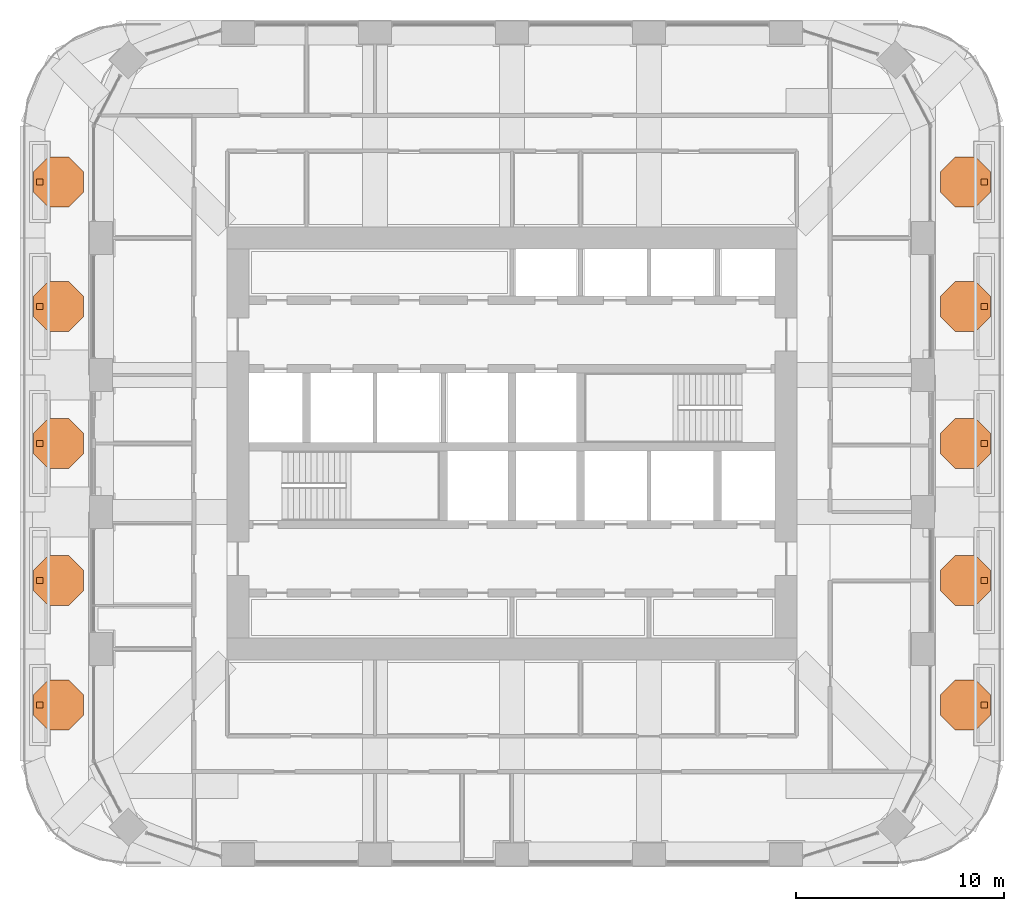
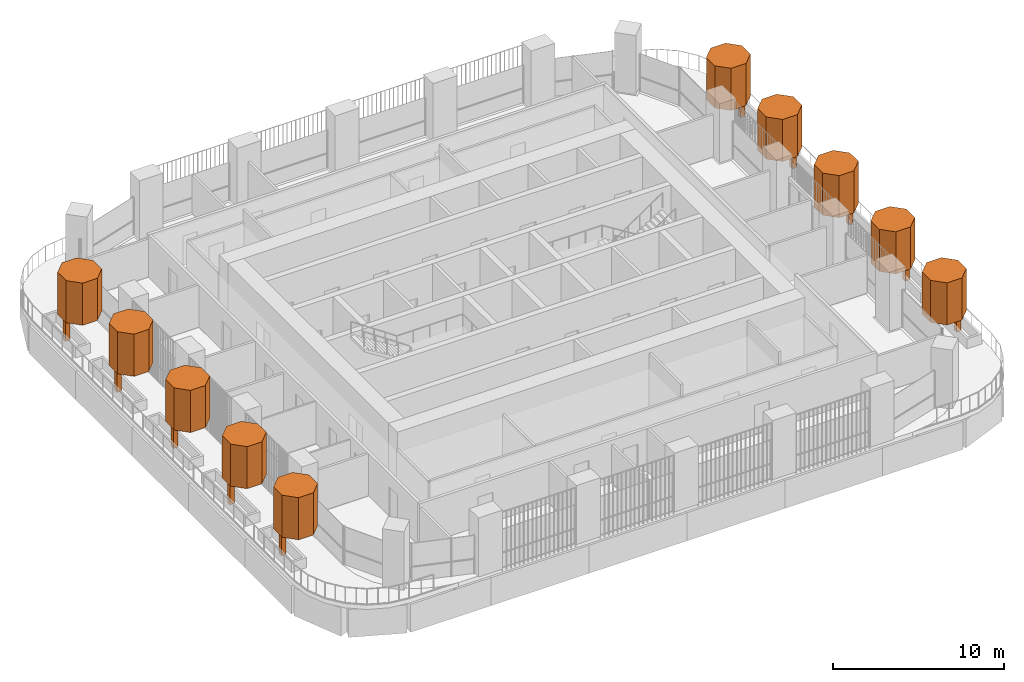
# One storey, part 24 of 24: 20 geographic elements.
"""IFC4 building model written with IfcOpenShell, lengths in metres."""

import ifcopenshell
import ifcopenshell.guid

model = None  # the IFC model being written
_history = None  # IfcOwnerHistory: only IFC2X3 demands one
_inside = {}  # id of a spatial element -> (the spatial element, [elements in it])
_under = {}  # id of a project, library or spatial element -> (it, [spatial elements below it])
_declared = {}  # id of a project -> (the project, [libraries it declares])
_typed = {}  # id of a type object -> (the type object, [elements of that type])
_made_of = {}  # id of a material, layer set ... -> (it, [elements and type objects made of it])


def new_model(schema):
    """Start an empty IFC model of exactly this schema.

    Asked for "IFC4X3", IfcOpenShell would pick the latest addendum, in which some entities
    have other attributes; the version numbers below select the first issue.
    IFC2X3 requires an IfcOwnerHistory on every rooted entity: one is made here for all.
    """
    global model, _history
    if schema == "IFC4X3":
        model = ifcopenshell.file(schema_version=(4, 3, 0, 0))
    else:
        model = ifcopenshell.file(schema=schema)
    _inside.clear()
    _under.clear()
    _declared.clear()
    _typed.clear()
    _made_of.clear()
    _history = None
    if model.schema == "IFC2X3":
        org = make("IfcOrganization", Name="unknown")
        user = make(
            "IfcPersonAndOrganization",
            ThePerson=make("IfcPerson", FamilyName="unknown"),
            TheOrganization=org,
        )
        app = make(
            "IfcApplication",
            ApplicationDeveloper=org,
            Version="unknown",
            ApplicationFullName="unknown",
            ApplicationIdentifier="unknown",
        )
        _history = make(
            "IfcOwnerHistory",
            OwningUser=user,
            OwningApplication=app,
            ChangeAction="ADDED",
            CreationDate=0,
        )
    return model


def make(cls, **values):
    """One entity of the class cls with the attributes given. An attribute that is None is left unset."""
    return model.create_entity(
        cls, **{name: value for name, value in values.items() if value is not None}
    )


def rooted(cls, **values):
    """An entity with a GlobalId (a new one), such as an element, a storey or a relation."""
    return make(cls, GlobalId=ifcopenshell.guid.new(), OwnerHistory=_history, **values)


def si_unit(unit_type, name, prefix=None):
    """IfcSIUnit, for example si_unit("LENGTHUNIT", "METRE", prefix="MILLI")."""
    return make("IfcSIUnit", UnitType=unit_type, Prefix=prefix, Name=name)


def assignment(units):
    """IfcUnitAssignment: the units of a project."""
    return None if units is None else make("IfcUnitAssignment", Units=units)


def point(xyz):
    """IfcCartesianPoint."""
    return None if xyz is None else make("IfcCartesianPoint", Coordinates=xyz)


def direction(xyz):
    """IfcDirection."""
    return None if xyz is None else make("IfcDirection", DirectionRatios=xyz)


def frame(location, z_axis=None, x_axis=None):
    """IfcAxis2Placement3D, a coordinate frame: its origin and axes. An axis left out is left unset."""
    return make(
        "IfcAxis2Placement3D",
        Location=point(location),
        Axis=direction(z_axis),
        RefDirection=direction(x_axis),
    )


def frame_2d(location, x_axis=None):
    """IfcAxis2Placement2D, a coordinate frame in the plane: its origin and x axis."""
    return make(
        "IfcAxis2Placement2D", Location=point(location), RefDirection=direction(x_axis)
    )


def origin():
    """The frame at (0, 0, 0) with its axes left unset."""
    return frame((0.0, 0.0, 0.0))


def origin_2d():
    """The frame at (0, 0) in the plane with its x axis left unset."""
    return frame_2d((0.0, 0.0))


def place(relative_to, where):
    """IfcLocalPlacement: puts the frame where relative to a parent placement (None: the world)."""
    return make(
        "IfcLocalPlacement", PlacementRelTo=relative_to, RelativePlacement=where
    )


def context(
    kind, dimensions, precision=None, world=None, true_north=None, identifier=None
):
    """IfcGeometricRepresentationContext, for example the 3D "Model" context."""
    return make(
        "IfcGeometricRepresentationContext",
        ContextIdentifier=identifier,
        ContextType=kind,
        CoordinateSpaceDimension=dimensions,
        Precision=precision,
        WorldCoordinateSystem=world,
        TrueNorth=true_north,
    )


def subcontext(parent, identifier, kind, view, scale=None):
    """IfcGeometricRepresentationSubContext, for example "Body" below "Model"."""
    return make(
        "IfcGeometricRepresentationSubContext",
        ContextIdentifier=identifier,
        ContextType=kind,
        ParentContext=parent,
        TargetScale=scale,
        TargetView=view,
    )


def project(units=None, contexts=None):
    """IfcProject with its units and contexts."""
    return rooted(
        "IfcProject",
        Name="project",
        RepresentationContexts=contexts,
        UnitsInContext=assignment(units),
    )


def spatial(cls, under=None, at=None, **own):
    """A site, building, storey or space (cls), placed at a placement, below another one or the project."""
    s = rooted(cls, ObjectPlacement=at, **own)
    if under is not None:
        _under.setdefault(under.id(), (under, []))[1].append(s)
    return s


def polyline(points):
    """IfcPolyline through the points."""
    return make("IfcPolyline", Points=[point(p) for p in points])


def profile(cls, at=None, kind="AREA", **sizes):
    """A parametric profile (cls). Its sizes go by their IFC names, for example OverallWidth=200.0."""
    return make(cls, ProfileType=kind, Position=at, **sizes)


def rectangle(**sizes):
    """IfcRectangleProfileDef."""
    return profile("IfcRectangleProfileDef", **sizes)


def outline(outer, holes=None, kind="AREA"):
    """IfcArbitraryClosedProfileDef: a profile drawn as a closed curve; with holes, ...WithVoids."""
    if holes is None:
        return make("IfcArbitraryClosedProfileDef", ProfileType=kind, OuterCurve=outer)
    return make(
        "IfcArbitraryProfileDefWithVoids",
        ProfileType=kind,
        OuterCurve=outer,
        InnerCurves=holes,
    )


def extrude(swept, where, along, depth):
    """IfcExtrudedAreaSolid: the profile swept, set in the frame where, extruded along a direction by depth."""
    return make(
        "IfcExtrudedAreaSolid",
        SweptArea=swept,
        Position=where,
        ExtrudedDirection=direction(along),
        Depth=depth,
    )


def shape(context_of_items, identifier, shape_type, items):
    """IfcShapeRepresentation: the items that make up one representation, for example the "Body"."""
    return make(
        "IfcShapeRepresentation",
        ContextOfItems=context_of_items,
        RepresentationIdentifier=identifier,
        RepresentationType=shape_type,
        Items=items,
    )


def material(Name=None, Category=None):
    """IfcMaterial."""
    return make("IfcMaterial", Name=Name, Category=Category)


def made_of(thing, what):
    """Note that an element or type object is made of a material, layer set ...; save() writes the relation."""
    if what is not None:
        _made_of.setdefault(what.id(), (what, []))[1].append(thing)
    return thing


def type_object(cls, material=None, **own):
    """A type object (cls), such as IfcWallType, which elements share."""
    return made_of(rooted(cls, **own), material)


def element(
    cls,
    number,
    at=None,
    inside=None,
    cuts=None,
    type_object=None,
    material=None,
    context=None,
    identifier="Body",
    shape_type=None,
    held_by="IfcProductDefinitionShape",
    body=None,
    shapes=None,
    **own,
):
    """One element of the class cls, such as IfcWall. Its Tag is "e" and its number.

    at: its placement. inside: the storey or other place that contains it. cuts: it is an
    opening in that element (IfcRelVoidsElement). A single representation is given by context,
    identifier, shape_type and body (its items); several are given by shapes. held_by: the class
    of the entity that holds the representations. save() writes the other relations.
    """
    e = rooted(cls, Tag="e%d" % number, ObjectPlacement=at, **own)
    if body is not None:
        shapes = [shape(context, identifier, shape_type, body)]
    if shapes is not None:
        e.Representation = make(held_by, Representations=shapes)
    if inside is not None:
        _inside.setdefault(inside.id(), (inside, []))[1].append(e)
    if cuts is not None:
        rooted(
            "IfcRelVoidsElement", RelatingBuildingElement=cuts, RelatedOpeningElement=e
        )
    if type_object is not None:
        _typed.setdefault(type_object.id(), (type_object, []))[1].append(e)
    return made_of(e, material)


def aggregate(whole, parts):
    """IfcRelAggregates: a whole, such as a stair, and the parts it consists of."""
    return rooted("IfcRelAggregates", RelatingObject=whole, RelatedObjects=parts)


def save(model, path):
    """Write the relations noted so far, then the file.

    IfcRelAggregates (storeys below a building ...), IfcRelContainedInSpatialStructure (elements
    in a storey), IfcRelDefinesByType, IfcRelAssociatesMaterial and IfcRelDeclares: one each for
    every whole, place, type object, material and project.
    """
    for whole, parts in _under.values():
        aggregate(whole, parts)
    for where, things in _inside.values():
        rooted(
            "IfcRelContainedInSpatialStructure",
            RelatedElements=things,
            RelatingStructure=where,
        )
    for kind, things in _typed.values():
        rooted("IfcRelDefinesByType", RelatedObjects=things, RelatingType=kind)
    for what, things in _made_of.values():
        rooted("IfcRelAssociatesMaterial", RelatedObjects=things, RelatingMaterial=what)
    for by, libraries in _declared.values():
        rooted("IfcRelDeclares", RelatingContext=by, RelatedDefinitions=libraries)
    model.write(path)


model = new_model("IFC4")

# Units and contexts
model_context = context("Model", 3, precision=1e-05, world=origin(), true_north=direction((0.0, 1.0)))
body_context = subcontext(model_context, "Body", "Model", "MODEL_VIEW")
ifc_project = project(units=[si_unit("LENGTHUNIT", "METRE"), si_unit("AREAUNIT", "SQUARE_METRE"), si_unit("VOLUMEUNIT", "CUBIC_METRE"), si_unit("PLANEANGLEUNIT", "RADIAN"), si_unit("MASSUNIT", "GRAM", prefix="KILO")], contexts=[model_context])

# Site, building, storey
site_placement = place(None, origin())
site = spatial("IfcSite", under=ifc_project, at=site_placement, CompositionType="ELEMENT")
building_placement = place(site_placement, origin())
building = spatial("IfcBuilding", under=site, at=building_placement, Name="Cobogo Forest Laboratory Tower", CompositionType="ELEMENT")
storey_placement = place(building_placement, frame((0.0, 0.0, 229.199951171875)))
storey = spatial("IfcBuildingStorey", under=building, at=storey_placement, Name="L52", CompositionType="ELEMENT", Elevation=229.199951171875)

# Geographic elements
ifc_material = material(Name="Planting", Category="plant")
geographic_element_type_1 = type_object("IfcGeographicElementType", Name="Tree trunk 300", PredefinedType="USERDEFINED", material=ifc_material)
for number, where, z_axis, x_axis, name in (
    (1, (3.64990234375, 10.5, 0.0), (0.0, 0.0, 1.0), (1.0, 0.0, 0.0), "Tree trunk TER-W-PL1 L52"),
    (2, (3.64990234375, 16.5, 0.0), (0.0, 0.0, 1.0), (1.0, 0.0, 0.0), "Tree trunk TER-W-PL2 L52"),
    (3, (3.64990234375, 23.10009765625, 0.0), (0.0, 0.0, 1.0), (1.0, 0.0, 0.0), "Tree trunk TER-W-PL3 L52"),
    (4, (3.64990234375, 29.699951171875, 0.0), (0.0, 0.0, 1.0), (1.0, 0.0, 0.0), "Tree trunk TER-W-PL4 L52"),
    (5, (3.64990234375, 35.699951171875, 0.0), (0.0, 0.0, 1.0), (1.0, 0.0, 0.0), "Tree trunk TER-W-PL5 L52"),
    (6, (49.14990234375, 10.5, 0.0), (0.0, 0.0, 1.0), (1.0, 0.0, 0.0), "Tree trunk TER-E-PL1 L52"),
    (7, (49.14990234375, 16.5, 0.0), (0.0, 0.0, 1.0), (1.0, 0.0, 0.0), "Tree trunk TER-E-PL2 L52"),
    (8, (49.14990234375, 23.10009765625, 0.0), (0.0, 0.0, 1.0), (1.0, 0.0, 0.0), "Tree trunk TER-E-PL3 L52"),
    (9, (49.14990234375, 29.699951171875, 0.0), (0.0, 0.0, 1.0), (1.0, 0.0, 0.0), "Tree trunk TER-E-PL4 L52"),
    (10, (49.14990234375, 35.699951171875, 0.0), (0.0, 0.0, 1.0), (1.0, 0.0, 0.0), "Tree trunk TER-E-PL5 L52"),
):
    element("IfcGeographicElement", number, at=place(storey_placement, frame(where, z_axis=z_axis, x_axis=x_axis)), inside=storey, type_object=geographic_element_type_1, Name=name, ObjectType="TREE TRUNK", PredefinedType="USERDEFINED", context=body_context, shape_type="SweptSolid", body=[
        extrude(rectangle(XDim=0.300048828125, YDim=0.300048828125, at=origin_2d()), origin(), (0.0, 0.0, 1.0), 1.60009765625),
    ])
geographic_element_type_2 = type_object("IfcGeographicElementType", Name="Tree, olive 4 m", PredefinedType="USERDEFINED", material=ifc_material)
geographic_element_1_placement = place(storey_placement, frame((0.0, 0.0, 1.60009765625)))
element("IfcGeographicElement", 11, at=geographic_element_1_placement, inside=storey, type_object=geographic_element_type_2, Name="Olive tree TER-W-PL1 L52", ObjectType="TREE", PredefinedType="USERDEFINED", context=body_context, shape_type="SweptSolid", body=[
    extrude(outline(polyline([(5.75, 10.0029296875), (5.75, 10.9970703125), (5.047119140625, 11.699951171875), (4.052978515625, 11.699951171875), (3.35009765625, 10.9970703125), (3.35009765625, 10.0029296875), (4.052978515625, 9.300048828125), (5.047119140625, 9.300048828125), (5.75, 10.0029296875)])), origin(), (0.0, 0.0, 1.0), 3.0),
])
geographic_element_2_placement = place(storey_placement, frame((0.0, 0.0, 1.60009765625)))
element("IfcGeographicElement", 12, at=geographic_element_2_placement, inside=storey, type_object=geographic_element_type_2, Name="Olive tree TER-W-PL2 L52", ObjectType="TREE", PredefinedType="USERDEFINED", context=body_context, shape_type="SweptSolid", body=[
    extrude(outline(polyline([(5.75, 16.0029296875), (5.75, 16.9970703125), (5.047119140625, 17.699951171875), (4.052978515625, 17.699951171875), (3.35009765625, 16.9970703125), (3.35009765625, 16.0029296875), (4.052978515625, 15.300048828125), (5.047119140625, 15.300048828125), (5.75, 16.0029296875)])), origin(), (0.0, 0.0, 1.0), 3.0),
])
geographic_element_3_placement = place(storey_placement, frame((0.0, 0.0, 1.60009765625)))
element("IfcGeographicElement", 13, at=geographic_element_3_placement, inside=storey, type_object=geographic_element_type_2, Name="Olive tree TER-W-PL3 L52", ObjectType="TREE", PredefinedType="USERDEFINED", context=body_context, shape_type="SweptSolid", body=[
    extrude(outline(polyline([(5.75, 22.60302734375), (5.75, 23.59716796875), (5.047119140625, 24.300048828125), (4.052978515625, 24.300048828125), (3.35009765625, 23.59716796875), (3.35009765625, 22.60302734375), (4.052978515625, 21.89990234375), (5.047119140625, 21.89990234375), (5.75, 22.60302734375)])), origin(), (0.0, 0.0, 1.0), 3.0),
])
geographic_element_4_placement = place(storey_placement, frame((0.0, 0.0, 1.60009765625)))
element("IfcGeographicElement", 14, at=geographic_element_4_placement, inside=storey, type_object=geographic_element_type_2, Name="Olive tree TER-W-PL4 L52", ObjectType="TREE", PredefinedType="USERDEFINED", context=body_context, shape_type="SweptSolid", body=[
    extrude(outline(polyline([(5.75, 29.202880859375), (5.75, 30.197021484375), (5.047119140625, 30.89990234375), (4.052978515625, 30.89990234375), (3.35009765625, 30.197021484375), (3.35009765625, 29.202880859375), (4.052978515625, 28.5), (5.047119140625, 28.5), (5.75, 29.202880859375)])), origin(), (0.0, 0.0, 1.0), 3.0),
])
geographic_element_5_placement = place(storey_placement, frame((0.0, 0.0, 1.60009765625)))
element("IfcGeographicElement", 15, at=geographic_element_5_placement, inside=storey, type_object=geographic_element_type_2, Name="Olive tree TER-W-PL5 L52", ObjectType="TREE", PredefinedType="USERDEFINED", context=body_context, shape_type="SweptSolid", body=[
    extrude(outline(polyline([(5.75, 35.202880859375), (5.75, 36.197021484375), (5.047119140625, 36.89990234375), (4.052978515625, 36.89990234375), (3.35009765625, 36.197021484375), (3.35009765625, 35.202880859375), (4.052978515625, 34.5), (5.047119140625, 34.5), (5.75, 35.202880859375)])), origin(), (0.0, 0.0, 1.0), 3.0),
])
geographic_element_6_placement = place(storey_placement, frame((0.0, 0.0, 1.60009765625)))
element("IfcGeographicElement", 16, at=geographic_element_6_placement, inside=storey, type_object=geographic_element_type_2, Name="Olive tree TER-E-PL1 L52", ObjectType="TREE", PredefinedType="USERDEFINED", context=body_context, shape_type="SweptSolid", body=[
    extrude(outline(polyline([(49.449951171875, 10.0029296875), (49.449951171875, 10.9970703125), (48.7470703125, 11.699951171875), (47.7529296875, 11.699951171875), (47.050048828125, 10.9970703125), (47.050048828125, 10.0029296875), (47.7529296875, 9.300048828125), (48.7470703125, 9.300048828125), (49.449951171875, 10.0029296875)])), origin(), (0.0, 0.0, 1.0), 3.0),
])
geographic_element_7_placement = place(storey_placement, frame((0.0, 0.0, 1.60009765625)))
element("IfcGeographicElement", 17, at=geographic_element_7_placement, inside=storey, type_object=geographic_element_type_2, Name="Olive tree TER-E-PL2 L52", ObjectType="TREE", PredefinedType="USERDEFINED", context=body_context, shape_type="SweptSolid", body=[
    extrude(outline(polyline([(49.449951171875, 16.0029296875), (49.449951171875, 16.9970703125), (48.7470703125, 17.699951171875), (47.7529296875, 17.699951171875), (47.050048828125, 16.9970703125), (47.050048828125, 16.0029296875), (47.7529296875, 15.300048828125), (48.7470703125, 15.300048828125), (49.449951171875, 16.0029296875)])), origin(), (0.0, 0.0, 1.0), 3.0),
])
geographic_element_8_placement = place(storey_placement, frame((0.0, 0.0, 1.60009765625)))
element("IfcGeographicElement", 18, at=geographic_element_8_placement, inside=storey, type_object=geographic_element_type_2, Name="Olive tree TER-E-PL3 L52", ObjectType="TREE", PredefinedType="USERDEFINED", context=body_context, shape_type="SweptSolid", body=[
    extrude(outline(polyline([(49.449951171875, 22.60302734375), (49.449951171875, 23.59716796875), (48.7470703125, 24.300048828125), (47.7529296875, 24.300048828125), (47.050048828125, 23.59716796875), (47.050048828125, 22.60302734375), (47.7529296875, 21.89990234375), (48.7470703125, 21.89990234375), (49.449951171875, 22.60302734375)])), origin(), (0.0, 0.0, 1.0), 3.0),
])
geographic_element_9_placement = place(storey_placement, frame((0.0, 0.0, 1.60009765625)))
element("IfcGeographicElement", 19, at=geographic_element_9_placement, inside=storey, type_object=geographic_element_type_2, Name="Olive tree TER-E-PL4 L52", ObjectType="TREE", PredefinedType="USERDEFINED", context=body_context, shape_type="SweptSolid", body=[
    extrude(outline(polyline([(49.449951171875, 29.202880859375), (49.449951171875, 30.197021484375), (48.7470703125, 30.89990234375), (47.7529296875, 30.89990234375), (47.050048828125, 30.197021484375), (47.050048828125, 29.202880859375), (47.7529296875, 28.5), (48.7470703125, 28.5), (49.449951171875, 29.202880859375)])), origin(), (0.0, 0.0, 1.0), 3.0),
])
geographic_element_10_placement = place(storey_placement, frame((0.0, 0.0, 1.60009765625)))
element("IfcGeographicElement", 20, at=geographic_element_10_placement, inside=storey, type_object=geographic_element_type_2, Name="Olive tree TER-E-PL5 L52", ObjectType="TREE", PredefinedType="USERDEFINED", context=body_context, shape_type="SweptSolid", body=[
    extrude(outline(polyline([(49.449951171875, 35.202880859375), (49.449951171875, 36.197021484375), (48.7470703125, 36.89990234375), (47.7529296875, 36.89990234375), (47.050048828125, 36.197021484375), (47.050048828125, 35.202880859375), (47.7529296875, 34.5), (48.7470703125, 34.5), (49.449951171875, 35.202880859375)])), origin(), (0.0, 0.0, 1.0), 3.0),
])

save(model, "model.ifc")
